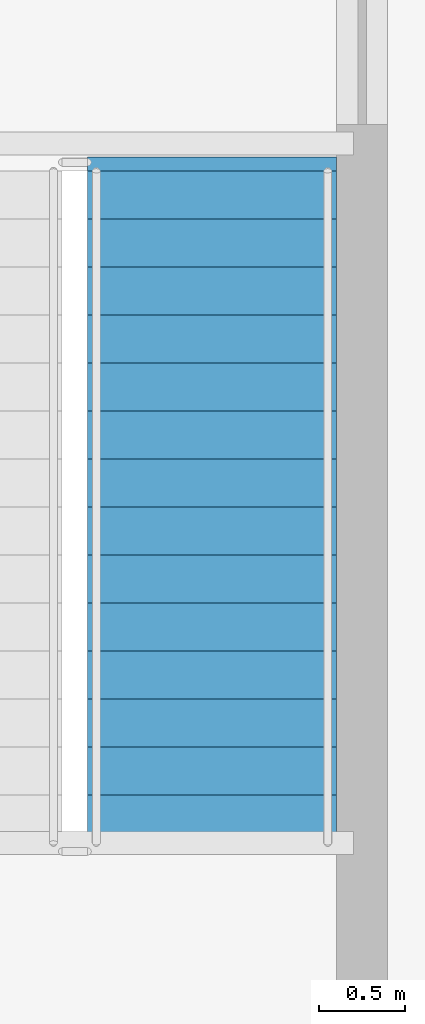
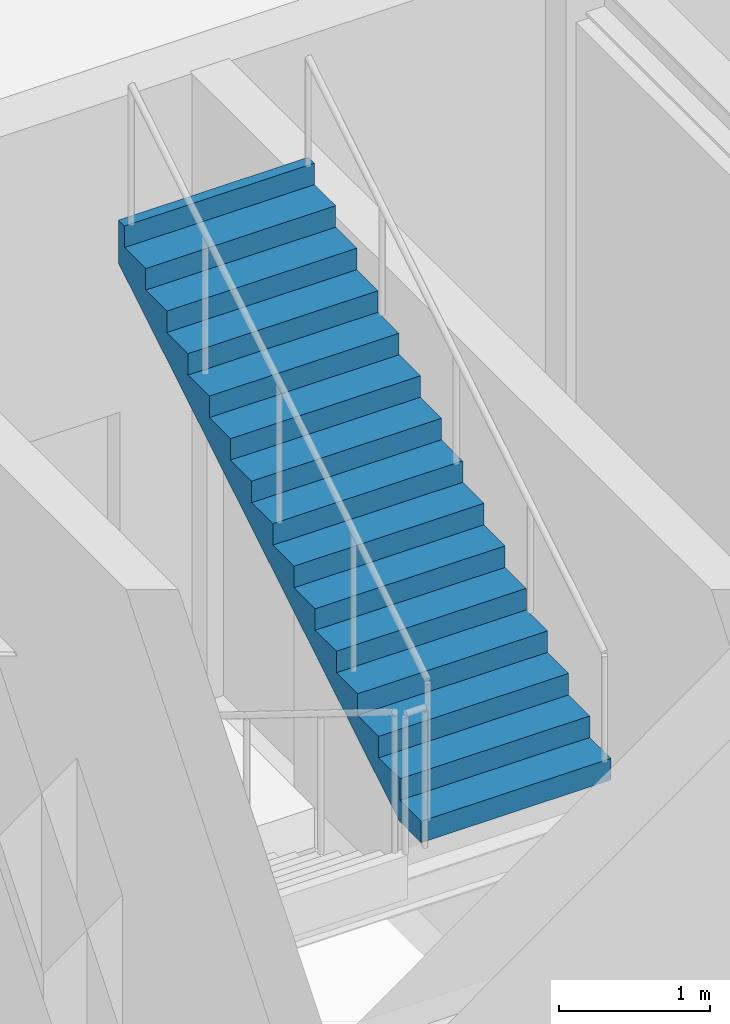
# One storey, part 21 of 26: 1 stair flight, 1 element without a shape of its own.
"""IFC4 building model written with IfcOpenShell, lengths in metres."""

from ifc_helpers import new_model, si_unit, direction, frame, origin, place, context, subcontext, project, spatial, polyline, outline, extrude, material, type_object, element, aggregate, save


model = new_model("IFC4")

# Units and contexts
model_context = context("Model", 3, precision=1e-05, world=origin(), true_north=direction((0.0, 1.0)))
body_context = subcontext(model_context, "Body", "Model", "MODEL_VIEW")
ifc_project = project(units=[si_unit("LENGTHUNIT", "METRE"), si_unit("AREAUNIT", "SQUARE_METRE"), si_unit("VOLUMEUNIT", "CUBIC_METRE"), si_unit("PLANEANGLEUNIT", "RADIAN"), si_unit("MASSUNIT", "GRAM", prefix="KILO")], contexts=[model_context])

# Site, building, storey
site_placement = place(None, origin())
site = spatial("IfcSite", under=ifc_project, at=site_placement, CompositionType="ELEMENT")
building_placement = place(site_placement, origin())
building = spatial("IfcBuilding", under=site, at=building_placement, Name="Kranzbogen Civic Tower", CompositionType="ELEMENT")
storey_placement = place(building_placement, origin())
storey = spatial("IfcBuildingStorey", under=building, at=storey_placement, Name="L00", CompositionType="ELEMENT", Elevation=0.0)

# Stair, stair flight
ifc_material = material(Name="Precast concrete C40/50", Category="concrete")
stair_type = type_object("IfcStairType", Name="Health Centre Escape Dogleg Stair 1450", PredefinedType="HALF_TURN_STAIR", material=ifc_material)
stair_placement = place(storey_placement, origin())
stair = element("IfcStair", 1, at=stair_placement, inside=storey, type_object=stair_type, Name="L00 Health Centre Escape Stair 2", PredefinedType="HALF_TURN_STAIR")
stair_flight_type = type_object("IfcStairFlightType", Name="Precast Concrete Stair Flight R173", PredefinedType="STRAIGHT", material=ifc_material)
stair_flight_placement = place(storey_placement, frame((55.875, 37.080078125, 2.60009765625), z_axis=(0.0, 0.0, 1.0), x_axis=(0.0, 1.0, 0.0)))
stair_flight = element("IfcStairFlight", 2, at=stair_flight_placement, type_object=stair_flight_type, Name="ST-H2 flight 2", NumberOfRisers=15, NumberOfTreads=14, PredefinedType="STRAIGHT", RiserHeight=0.173333333, TreadLength=0.28, context=body_context, shape_type="SweptSolid", body=[
    extrude(outline(polyline([(0.0, 0.0), (0.0, 0.17333984375), (0.280029296875, 0.17333984375), (0.280029296875, 0.3466796875), (0.56005859375, 0.3466796875), (0.56005859375, 0.52001953125), (0.840087890625, 0.52001953125), (0.840087890625, 0.693359375), (1.1201171875, 0.693359375), (1.1201171875, 0.86669921875), (1.39990234375, 0.86669921875), (1.39990234375, 1.0400390625), (1.679931640625, 1.0400390625), (1.679931640625, 1.21337890625), (1.9599609375, 1.21337890625), (1.9599609375, 1.38671875), (2.239990234375, 1.38671875), (2.239990234375, 1.56005859375), (2.52001953125, 1.56005859375), (2.52001953125, 1.7333984375), (2.800048828125, 1.7333984375), (2.800048828125, 1.90673828125), (3.080078125, 1.90673828125), (3.080078125, 2.080078125), (3.360107421875, 2.080078125), (3.360107421875, 2.25341796875), (3.639892578125, 2.25341796875), (3.639892578125, 2.4267578125), (3.919921875, 2.4267578125), (3.919921875, 2.60009765625), (4.0, 2.60009765625), (4.0, 2.250244140625), (0.284912109375, 0.0), (0.0, 0.0)])), frame((0.0, 0.72509765625, 0.0), z_axis=(0.0, -1.0, 0.0), x_axis=(1.0, 0.0, 0.0)), (0.0, 0.0, 1.0), 1.449951171875),
])
aggregate(stair, [stair_flight])

save(model, "model.ifc")
